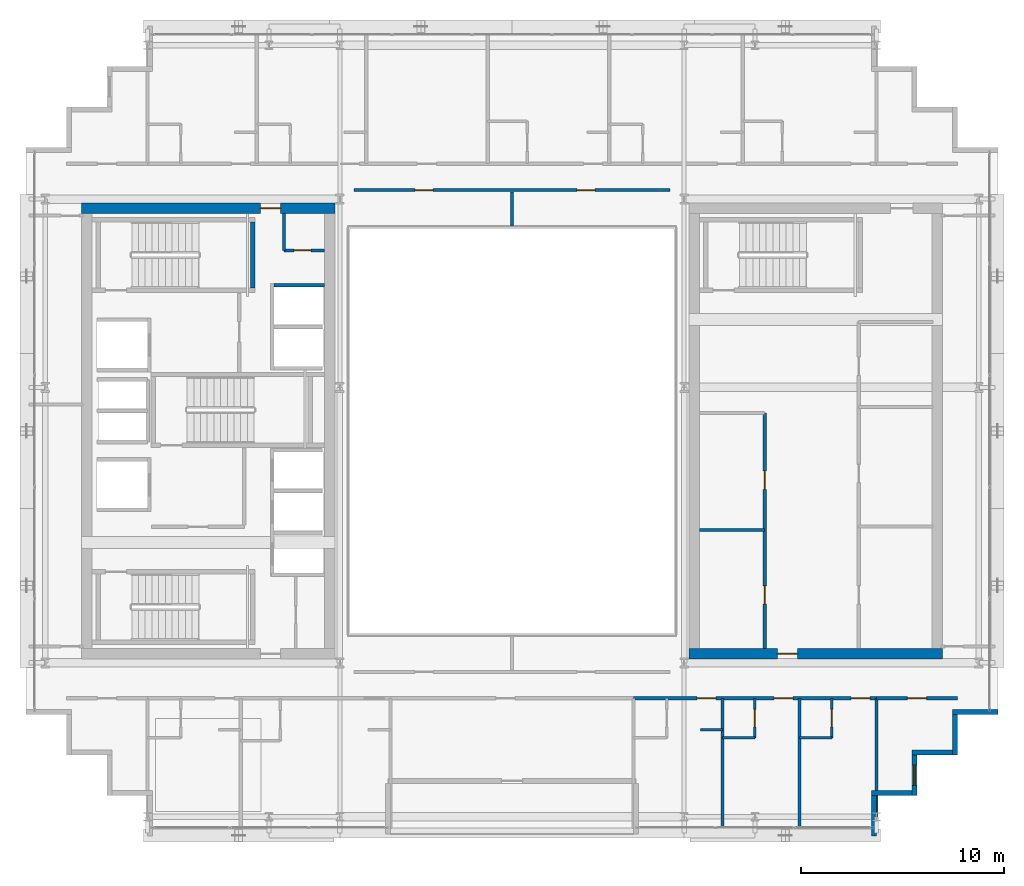
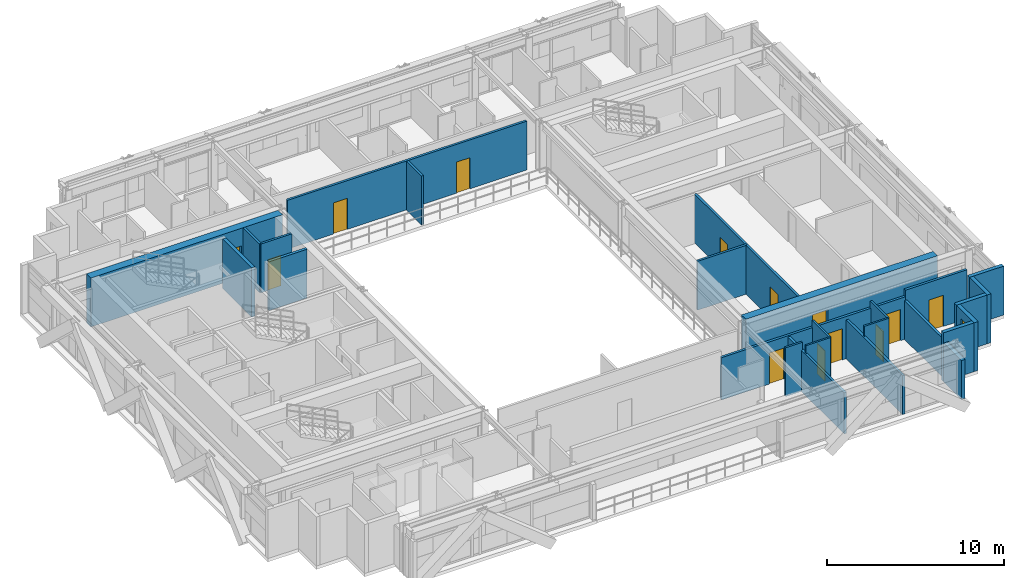
# One storey, part 25 of 31: 26 walls, 13 doors, 1 window, 14 openings.
"""IFC4 building model written with IfcOpenShell, lengths in metres."""

from ifc_helpers import new_model, si_unit, direction, frame, frame_2d, origin, place, context, subcontext, project, spatial, rectangle, extrude, source, transform, mapped, material, layer, layer_set, type_object, element, fill, save


model = new_model("IFC4")

# Units and contexts
model_context = context("Model", 3, precision=1e-05, world=origin(), true_north=direction((0.0, 1.0)))
body_context = subcontext(model_context, "Body", "Model", "MODEL_VIEW")
ifc_project = project(units=[si_unit("LENGTHUNIT", "METRE"), si_unit("AREAUNIT", "SQUARE_METRE"), si_unit("VOLUMEUNIT", "CUBIC_METRE"), si_unit("PLANEANGLEUNIT", "RADIAN"), si_unit("MASSUNIT", "GRAM", prefix="KILO")], contexts=[model_context])

# Site, building, storey
site_placement = place(None, origin())
site = spatial("IfcSite", under=ifc_project, at=site_placement, CompositionType="ELEMENT")
building_placement = place(site_placement, origin())
building = spatial("IfcBuilding", under=site, at=building_placement, Name="Ocotamira Hotel", CompositionType="ELEMENT")
storey_placement = place(building_placement, frame((0.0, 0.0, 210.0)))
storey = spatial("IfcBuildingStorey", under=building, at=storey_placement, Name="L53", CompositionType="ELEMENT", Elevation=210.0)

# Wall, opening, door
ifc_material_1 = material(Name="Concrete C50/60", Category="concrete")
ifc_layer_1 = layer(ifc_material_1, 0.5)
ifc_layer_set_1 = layer_set([ifc_layer_1], Name="Concrete C50/60")
wall_type_1 = type_object("IfcWallType", Name="WL-CORE-500", PredefinedType="SHEAR", material=ifc_layer_set_1)
wall_1_placement = place(storey_placement, frame((10.75, 37.0, 0.0), z_axis=(0.0, 0.0, 1.0), x_axis=(1.0, 0.0, 0.0)))
wall_1 = element("IfcWall", 1, at=wall_1_placement, inside=storey, type_object=wall_type_1, Name="L53 Shear Core Wall WCORE-N", PredefinedType="SHEAR", context=body_context, shape_type="SweptSolid", body=[
    extrude(rectangle(XDim=12.5, YDim=0.5, at=frame_2d((6.25, 0.0))), origin(), (0.0, 0.0, 1.0), 3.3701171875),
])
opening_1_placement = place(wall_1_placement, frame((8.830078125, 0.0, 0.0)))
opening_1 = element("IfcOpeningElement", 2, at=opening_1_placement, cuts=wall_1, Name="Opening D-FR2", PredefinedType="OPENING", context=body_context, shape_type="SweptSolid", body=[
    extrude(rectangle(XDim=1.0, YDim=2.14990234375, at=frame_2d((0.5, 1.074951171875))), frame((0.0, 0.260009765625, 0.0), z_axis=(0.0, -1.0, 0.0), x_axis=(1.0, 0.0, 0.0)), (0.0, 0.0, 1.0), 0.52001953125),
])
ifc_material_2 = material(Name="Fire-rated acoustic timber-veneer door", Category="wood")
door_type_1 = type_object("IfcDoorType", Name="DR-FIRE-1000", OperationType="NOTDEFINED", PredefinedType="DOOR", material=ifc_material_2)
shared_shape_1 = source(origin(), body_context, "Body", "SweptSolid", [
    extrude(rectangle(XDim=1.0, YDim=2.14990234375, at=frame_2d((0.5, 1.074951171875))), frame((0.0, 0.02490234375, 0.0), z_axis=(0.0, -1.0, 0.0), x_axis=(1.0, 0.0, 0.0)), (0.0, 0.0, 1.0), 0.050048828125),
])
door_1_placement = place(opening_1_placement, origin())
door_1 = element("IfcDoor", 3, at=door_1_placement, inside=storey, type_object=door_type_1, Name="L53 Door ID-L53-WLOB-N-D [ID-L53-WLOB-N-D]", OperationType="SINGLE_SWING_RIGHT", OverallHeight=2.14990234375, OverallWidth=1.0, PredefinedType="DOOR", context=body_context, shape_type="MappedRepresentation", body=[
    mapped(shared_shape_1, transform((0.0, 0.0, 0.0), scale=1.0)),
])
fill(opening_1, door_1)

wall_2_placement = place(storey_placement, frame((40.75, 15.0, 0.0), z_axis=(0.0, 0.0, 1.0), x_axis=(1.0, 0.0, 0.0)))
wall_2 = element("IfcWall", 4, at=wall_2_placement, inside=storey, type_object=wall_type_1, Name="L53 Shear Core Wall ECORE-S", PredefinedType="SHEAR", context=body_context, shape_type="SweptSolid", body=[
    extrude(rectangle(XDim=12.5, YDim=0.5, at=frame_2d((6.25, 0.0))), origin(), (0.0, 0.0, 1.0), 3.3701171875),
])
opening_2_placement = place(wall_2_placement, frame((4.35009765625, 0.0, 0.0)))
opening_2 = element("IfcOpeningElement", 5, at=opening_2_placement, cuts=wall_2, Name="Opening D-FR2", PredefinedType="OPENING", context=body_context, shape_type="SweptSolid", body=[
    extrude(rectangle(XDim=1.0, YDim=2.14990234375, at=frame_2d((0.5, 1.074951171875))), frame((0.0, 0.260009765625, 0.0), z_axis=(0.0, -1.0, 0.0), x_axis=(1.0, 0.0, 0.0)), (0.0, 0.0, 1.0), 0.52001953125),
])
door_2_placement = place(opening_2_placement, origin())
door_2 = element("IfcDoor", 6, at=door_2_placement, inside=storey, type_object=door_type_1, Name="L53 Door ID-L53-ELOB-S-D [ID-L53-ELOB-S-D]", OperationType="SINGLE_SWING_RIGHT", OverallHeight=2.14990234375, OverallWidth=1.0, PredefinedType="DOOR", context=body_context, shape_type="MappedRepresentation", body=[
    mapped(shared_shape_1, transform((0.0, 0.0, 0.0), scale=1.0)),
])
fill(opening_2, door_2)

# Walls
ifc_material_3 = material(Name="Precast concrete C45/55", Category="concrete")
ifc_layer_2 = layer(ifc_material_3, 0.25)
ifc_layer_set_2 = layer_set([ifc_layer_2], Name="Precast concrete C45/55")
wall_type_2 = type_object("IfcWallType", Name="WL-EXT-SER-250", PredefinedType="SOLIDWALL", material=ifc_layer_set_2)
wall_3_placement = place(storey_placement, frame((49.875, 6.0, 0.0), z_axis=(0.0, 0.0, 1.0), x_axis=(0.0, 1.0, 0.0)))
element("IfcWall", 7, at=wall_3_placement, inside=storey, type_object=wall_type_2, Name="L53 Serrated Corner Wall 01", PredefinedType="SOLIDWALL", context=body_context, shape_type="SweptSolid", body=[
    extrude(rectangle(XDim=2.0, YDim=0.25, at=frame_2d((1.0, 0.0))), origin(), (0.0, 0.0, 1.0), 2.677001953125),
])
wall_4_placement = place(storey_placement, frame((49.75, 8.125, 0.0), z_axis=(0.0, 0.0, 1.0), x_axis=(1.0, 0.0, 0.0)))
element("IfcWall", 8, at=wall_4_placement, inside=storey, type_object=wall_type_2, Name="L53 Serrated Corner Wall 02", PredefinedType="SOLIDWALL", context=body_context, shape_type="SweptSolid", body=[
    extrude(rectangle(XDim=2.0, YDim=0.25, at=frame_2d((1.0, 0.0))), origin(), (0.0, 0.0, 1.0), 3.3701171875),
])

# Wall, opening, window
wall_5_placement = place(storey_placement, frame((51.875, 8.0, 0.0), z_axis=(0.0, 0.0, 1.0), x_axis=(0.0, 1.0, 0.0)))
wall_5 = element("IfcWall", 9, at=wall_5_placement, inside=storey, type_object=wall_type_2, Name="L53 Serrated Corner Wall 03", PredefinedType="SOLIDWALL", context=body_context, shape_type="SweptSolid", body=[
    extrude(rectangle(XDim=2.0, YDim=0.25, at=frame_2d((1.0, 0.0))), origin(), (0.0, 0.0, 1.0), 3.3701171875),
])
opening_3_placement = place(wall_5_placement, frame((0.5, 0.0, 0.85009765625)))
opening_3 = element("IfcOpeningElement", 10, at=opening_3_placement, cuts=wall_5, Name="Opening WN-2", PredefinedType="OPENING", context=body_context, shape_type="SweptSolid", body=[
    extrude(rectangle(XDim=1.0, YDim=1.89990234375, at=frame_2d((0.5, 0.949951171875))), frame((0.0, 0.135009765625, 0.0), z_axis=(0.0, -1.0, 0.0), x_axis=(1.0, 0.0, 0.0)), (0.0, 0.0, 1.0), 0.27001953125),
])
ifc_material_4 = material(Name="Double-silver low-E solar glass", Category="glass")
window_type = type_object("IfcWindowType", Name="WIN-SER-1100", PartitioningType="SINGLE_PANEL", PredefinedType="WINDOW", material=ifc_material_4)
shared_shape_2 = source(origin(), body_context, "Body", "SweptSolid", [
    extrude(rectangle(XDim=1.0, YDim=1.89990234375, at=frame_2d((0.5, 0.949951171875))), frame((0.0, 0.030029296875, 0.0), z_axis=(0.0, -1.0, 0.0), x_axis=(1.0, 0.0, 0.0)), (0.0, 0.0, 1.0), 0.06005859375),
])
window_placement = place(opening_3_placement, origin())
window = element("IfcWindow", 11, at=window_placement, inside=storey, type_object=window_type, Name="L53 Serrated Corner Window 03", OverallHeight=1.89990234375, OverallWidth=1.0, PartitioningType="SINGLE_PANEL", PredefinedType="WINDOW", context=body_context, shape_type="MappedRepresentation", body=[
    mapped(shared_shape_2, transform((0.0, 0.0, 0.0), scale=1.0)),
])
fill(opening_3, window)

# Walls
for number, where, z_axis, x_axis, name in (
    (12, (51.75, 10.125, 0.0), (0.0, 0.0, 1.0), (1.0, 0.0, 0.0), "L53 Serrated Corner Wall 04"),
    (13, (53.875, 10.0, 0.0), (0.0, 0.0, 1.0), (0.0, 1.0, 0.0), "L53 Serrated Corner Wall 05"),
):
    element("IfcWall", number, at=place(storey_placement, frame(where, z_axis=z_axis, x_axis=x_axis)), inside=storey, type_object=wall_type_2, Name=name, PredefinedType="SOLIDWALL", context=body_context, shape_type="SweptSolid", body=[
        extrude(rectangle(XDim=2.0, YDim=0.25, at=frame_2d((1.0, 0.0))), origin(), (0.0, 0.0, 1.0), 3.3701171875),
    ])
wall_6_placement = place(storey_placement, frame((53.75, 12.125, 0.0), z_axis=(0.0, 0.0, 1.0), x_axis=(1.0, 0.0, 0.0)))
element("IfcWall", 14, at=wall_6_placement, inside=storey, type_object=wall_type_2, Name="L53 Serrated Corner Wall 06", PredefinedType="SOLIDWALL", context=body_context, shape_type="SweptSolid", body=[
    extrude(rectangle(XDim=2.25, YDim=0.25, at=frame_2d((1.125, 0.0))), origin(), (0.0, 0.0, 1.0), 3.3701171875),
])

# Wall, opening, door
ifc_material_5 = material(Name="Acoustic double-layer fire gypsum board partition", Category="gypsum")
ifc_layer_3 = layer(ifc_material_5, 0.159912109375)
ifc_layer_set_3 = layer_set([ifc_layer_3], Name="Acoustic double-layer fire gypsum board partition")
wall_type_3 = type_object("IfcWallType", Name="WL-FIRE-160", PredefinedType="PARTITIONING", material=ifc_layer_set_3)
wall_7_placement = place(storey_placement, frame((50.0, 12.800048828125, 0.0), z_axis=(0.0, 0.0, 1.0), x_axis=(1.0, 0.0, 0.0)))
wall_7 = element("IfcWall", 15, at=wall_7_placement, inside=storey, type_object=wall_type_3, Name="L53 Interior Wall PW-L53-Z3E-CSE-CW", PredefinedType="PARTITIONING", context=body_context, shape_type="SweptSolid", body=[
    extrude(rectangle(XDim=4.0, YDim=0.159912109375, at=frame_2d((2.0, 0.0))), origin(), (0.0, 0.0, 1.0), 3.3701171875),
])
opening_4_placement = place(wall_7_placement, frame((1.52001953125, 0.0, 0.0)))
opening_4 = element("IfcOpeningElement", 16, at=opening_4_placement, cuts=wall_7, Name="Opening D-SV4", PredefinedType="OPENING", context=body_context, shape_type="SweptSolid", body=[
    extrude(rectangle(XDim=0.9599609375, YDim=2.14990234375, at=frame_2d((0.47998046875, 1.074951171875))), frame((0.0, 0.08984375, 0.0), z_axis=(0.0, -1.0, 0.0), x_axis=(1.0, 0.0, 0.0)), (0.0, 0.0, 1.0), 0.179931640625),
])
ifc_material_6 = material(Name="Fire-rated accessible walnut salon door", Category="wood")
door_type_2 = type_object("IfcDoorType", Name="DR-SERV-960", OperationType="NOTDEFINED", PredefinedType="DOOR", material=ifc_material_6)
shared_shape_3 = source(origin(), body_context, "Body", "SweptSolid", [
    extrude(rectangle(XDim=0.9599609375, YDim=2.14990234375, at=frame_2d((0.47998046875, 1.074951171875))), frame((0.0, 0.02490234375, 0.0), z_axis=(0.0, -1.0, 0.0), x_axis=(1.0, 0.0, 0.0)), (0.0, 0.0, 1.0), 0.050048828125),
])
door_3_placement = place(opening_4_placement, origin())
door_3 = element("IfcDoor", 17, at=door_3_placement, inside=storey, type_object=door_type_2, Name="L53 Door ID-L53-Z3E-CSE-CD [ID-L53-Z3E-CSE-CD]", OperationType="SINGLE_SWING_LEFT", OverallHeight=2.14990234375, OverallWidth=0.9599609375, PredefinedType="DOOR", context=body_context, shape_type="MappedRepresentation", body=[
    mapped(shared_shape_3, transform((0.0, 0.0, 0.0), scale=1.0)),
])
fill(opening_4, door_3)

# Wall, openings, doors
wall_8_placement = place(storey_placement, frame((38.0, 12.800048828125, 0.0), z_axis=(0.0, 0.0, 1.0), x_axis=(1.0, 0.0, 0.0)))
wall_8 = element("IfcWall", 18, at=wall_8_placement, inside=storey, type_object=wall_type_3, Name="L53 Interior Wall PW-L53-Z3ESE-CORRW", PredefinedType="PARTITIONING", context=body_context, shape_type="SweptSolid", body=[
    extrude(rectangle(XDim=12.0, YDim=0.159912109375, at=frame_2d((6.0, 0.0))), origin(), (0.0, 0.0, 1.0), 2.9130859375),
])
opening_5_placement = place(wall_8_placement, frame((3.139892578125, 0.0, 0.0)))
opening_5 = element("IfcOpeningElement", 19, at=opening_5_placement, cuts=wall_8, Name="Opening D-GR1", PredefinedType="OPENING", context=body_context, shape_type="SweptSolid", body=[
    extrude(rectangle(XDim=0.93994140625, YDim=2.14990234375, at=frame_2d((0.469970703125, 1.074951171875))), frame((0.0, 0.08984375, 0.0), z_axis=(0.0, -1.0, 0.0), x_axis=(1.0, 0.0, 0.0)), (0.0, 0.0, 1.0), 0.179931640625),
])
opening_6_placement = place(wall_8_placement, frame((6.93994140625, 0.0, 0.0)))
opening_6 = element("IfcOpeningElement", 20, at=opening_6_placement, cuts=wall_8, Name="Opening D-GR1", PredefinedType="OPENING", context=body_context, shape_type="SweptSolid", body=[
    extrude(rectangle(XDim=0.93994140625, YDim=2.14990234375, at=frame_2d((0.469970703125, 1.074951171875))), frame((0.0, 0.08984375, 0.0), z_axis=(0.0, -1.0, 0.0), x_axis=(1.0, 0.0, 0.0)), (0.0, 0.0, 1.0), 0.179931640625),
])
opening_7_placement = place(wall_8_placement, frame((10.739990234375, 0.0, 0.0)))
opening_7 = element("IfcOpeningElement", 21, at=opening_7_placement, cuts=wall_8, Name="Opening D-GR1", PredefinedType="OPENING", context=body_context, shape_type="SweptSolid", body=[
    extrude(rectangle(XDim=0.93994140625, YDim=2.14990234375, at=frame_2d((0.469970703125, 1.074951171875))), frame((0.0, 0.08984375, 0.0), z_axis=(0.0, -1.0, 0.0), x_axis=(1.0, 0.0, 0.0)), (0.0, 0.0, 1.0), 0.179931640625),
])
ifc_material_7 = material(Name="Solid-core walnut suite entrance fire door", Category="wood")
door_type_3 = type_object("IfcDoorType", Name="DR-GUEST-940", OperationType="NOTDEFINED", PredefinedType="DOOR", material=ifc_material_7)
shared_shape_4 = source(origin(), body_context, "Body", "SweptSolid", [
    extrude(rectangle(XDim=0.93994140625, YDim=2.14990234375, at=frame_2d((0.469970703125, 1.074951171875))), frame((0.0, 0.02490234375, 0.0), z_axis=(0.0, -1.0, 0.0), x_axis=(1.0, 0.0, 0.0)), (0.0, 0.0, 1.0), 0.050048828125),
])
door_4_placement = place(opening_5_placement, origin())
door_4 = element("IfcDoor", 22, at=door_4_placement, inside=storey, type_object=door_type_3, Name="L53 Door ID-L53-Z3ESE-RMD1 [ID-L53-Z3ESE-RMD1]", OperationType="SINGLE_SWING_LEFT", OverallHeight=2.14990234375, OverallWidth=0.93994140625, PredefinedType="DOOR", context=body_context, shape_type="MappedRepresentation", body=[
    mapped(shared_shape_4, transform((0.0, 0.0, 0.0), scale=1.0)),
])
fill(opening_5, door_4)
door_5_placement = place(opening_6_placement, origin())
door_5 = element("IfcDoor", 23, at=door_5_placement, inside=storey, type_object=door_type_3, Name="L53 Door ID-L53-Z3ESE-RMD2 [ID-L53-Z3ESE-RMD2]", OperationType="SINGLE_SWING_RIGHT", OverallHeight=2.14990234375, OverallWidth=0.93994140625, PredefinedType="DOOR", context=body_context, shape_type="MappedRepresentation", body=[
    mapped(shared_shape_4, transform((0.0, 0.0, 0.0), scale=1.0)),
])
fill(opening_6, door_5)
door_6_placement = place(opening_7_placement, origin())
door_6 = element("IfcDoor", 24, at=door_6_placement, inside=storey, type_object=door_type_3, Name="L53 Door ID-L53-Z3ESE-RMD3 [ID-L53-Z3ESE-RMD3]", OperationType="SINGLE_SWING_LEFT", OverallHeight=2.14990234375, OverallWidth=0.93994140625, PredefinedType="DOOR", context=body_context, shape_type="MappedRepresentation", body=[
    mapped(shared_shape_4, transform((0.0, 0.0, 0.0), scale=1.0)),
])
fill(opening_7, door_6)

# Wall
ifc_material_8 = material(Name="Moisture-resistant en-suite tile and gypsum partition", Category="gypsum")
ifc_layer_4 = layer(ifc_material_8, 0.1201171875)
ifc_layer_set_4 = layer_set([ifc_layer_4], Name="Moisture-resistant en-suite tile and gypsum partition")
wall_type_4 = type_object("IfcWallType", Name="WL-PART-120", PredefinedType="PARTITIONING", material=ifc_layer_set_4)
wall_9_placement = place(storey_placement, frame((41.300048828125, 11.25, 0.0), z_axis=(0.0, 0.0, 1.0), x_axis=(1.0, 0.0, 0.0)))
element("IfcWall", 25, at=wall_9_placement, inside=storey, type_object=wall_type_4, Name="L53 Interior Wall PW-L53-Z3ESE-DRN1", PredefinedType="PARTITIONING", context=body_context, shape_type="SweptSolid", body=[
    extrude(rectangle(XDim=1.099853515625, YDim=0.1201171875, at=frame_2d((0.5498046875, 0.0))), origin(), (0.0, 0.0, 1.0), 3.3701171875),
])

# Wall, opening, door
wall_10_placement = place(storey_placement, frame((43.989990234375, 10.85009765625, 0.0), z_axis=(0.0, 0.0, 1.0), x_axis=(0.0, 1.0, 0.0)))
wall_10 = element("IfcWall", 26, at=wall_10_placement, inside=storey, type_object=wall_type_4, Name="L53 Interior Wall PW-L53-Z3ESE-BAE2", PredefinedType="PARTITIONING", context=body_context, shape_type="SweptSolid", body=[
    extrude(rectangle(XDim=1.949951171875, YDim=0.1201171875, at=frame_2d((0.97509765625, 0.0))), origin(), (0.0, 0.0, 1.0), 3.3701171875),
])
opening_8_placement = place(wall_10_placement, frame((0.544921875, 0.0, 0.0)))
opening_8 = element("IfcOpeningElement", 27, at=opening_8_placement, cuts=wall_10, Name="Opening D-BA1", PredefinedType="OPENING", context=body_context, shape_type="SweptSolid", body=[
    extrude(rectangle(XDim=0.860107421875, YDim=2.10009765625, at=frame_2d((0.43017578125, 1.050048828125))), frame((0.0, 0.070068359375, 0.0), z_axis=(0.0, -1.0, 0.0), x_axis=(1.0, 0.0, 0.0)), (0.0, 0.0, 1.0), 0.14013671875),
])
ifc_material_9 = material(Name="Moisture-sealed en-suite timber door", Category="wood")
door_type_4 = type_object("IfcDoorType", Name="DR-BATH-860", OperationType="NOTDEFINED", PredefinedType="DOOR", material=ifc_material_9)
shared_shape_5 = source(origin(), body_context, "Body", "SweptSolid", [
    extrude(rectangle(XDim=0.860107421875, YDim=2.10009765625, at=frame_2d((0.43017578125, 1.050048828125))), frame((0.0, 0.02490234375, 0.0), z_axis=(0.0, -1.0, 0.0), x_axis=(1.0, 0.0, 0.0)), (0.0, 0.0, 1.0), 0.050048828125),
])
door_7_placement = place(opening_8_placement, origin())
door_7 = element("IfcDoor", 28, at=door_7_placement, inside=storey, type_object=door_type_4, Name="L53 Door ID-L53-Z3ESE-BAD2 [ID-L53-Z3ESE-BAD2]", OperationType="SINGLE_SWING_LEFT", OverallHeight=2.10009765625, OverallWidth=0.860107421875, PredefinedType="DOOR", context=body_context, shape_type="MappedRepresentation", body=[
    mapped(shared_shape_5, transform((0.0, 0.0, 0.0), scale=1.0)),
])
fill(opening_8, door_7)

# Wall
wall_11_placement = place(storey_placement, frame((42.39990234375, 10.85009765625, 0.0), z_axis=(0.0, 0.0, 1.0), x_axis=(1.0, 0.0, 0.0)))
element("IfcWall", 29, at=wall_11_placement, inside=storey, type_object=wall_type_4, Name="L53 Interior Wall PW-L53-Z3ESE-BAS2", PredefinedType="PARTITIONING", context=body_context, shape_type="SweptSolid", body=[
    extrude(rectangle(XDim=1.590087890625, YDim=0.1201171875, at=frame_2d((0.794921875, 0.0))), origin(), (0.0, 0.0, 1.0), 3.3701171875),
])

# Wall, opening, door
wall_12_placement = place(storey_placement, frame((47.7900390625, 10.85009765625, 0.0), z_axis=(0.0, 0.0, 1.0), x_axis=(0.0, 1.0, 0.0)))
wall_12 = element("IfcWall", 30, at=wall_12_placement, inside=storey, type_object=wall_type_4, Name="L53 Interior Wall PW-L53-Z3ESE-BAE3", PredefinedType="PARTITIONING", context=body_context, shape_type="SweptSolid", body=[
    extrude(rectangle(XDim=1.949951171875, YDim=0.1201171875, at=frame_2d((0.97509765625, 0.0))), origin(), (0.0, 0.0, 1.0), 3.3701171875),
])
opening_9_placement = place(wall_12_placement, frame((0.544921875, 0.0, 0.0)))
opening_9 = element("IfcOpeningElement", 31, at=opening_9_placement, cuts=wall_12, Name="Opening D-BA1", PredefinedType="OPENING", context=body_context, shape_type="SweptSolid", body=[
    extrude(rectangle(XDim=0.860107421875, YDim=2.10009765625, at=frame_2d((0.43017578125, 1.050048828125))), frame((0.0, 0.070068359375, 0.0), z_axis=(0.0, -1.0, 0.0), x_axis=(1.0, 0.0, 0.0)), (0.0, 0.0, 1.0), 0.14013671875),
])
door_8_placement = place(opening_9_placement, origin())
door_8 = element("IfcDoor", 32, at=door_8_placement, inside=storey, type_object=door_type_4, Name="L53 Door ID-L53-Z3ESE-BAD3 [ID-L53-Z3ESE-BAD3]", OperationType="SINGLE_SWING_RIGHT", OverallHeight=2.10009765625, OverallWidth=0.860107421875, PredefinedType="DOOR", context=body_context, shape_type="MappedRepresentation", body=[
    mapped(shared_shape_5, transform((0.0, 0.0, 0.0), scale=1.0)),
])
fill(opening_9, door_8)

# Walls
wall_13_placement = place(storey_placement, frame((46.199951171875, 10.85009765625, 0.0), z_axis=(0.0, 0.0, 1.0), x_axis=(1.0, 0.0, 0.0)))
element("IfcWall", 33, at=wall_13_placement, inside=storey, type_object=wall_type_4, Name="L53 Interior Wall PW-L53-Z3ESE-BAS3", PredefinedType="PARTITIONING", context=body_context, shape_type="SweptSolid", body=[
    extrude(rectangle(XDim=1.590087890625, YDim=0.1201171875, at=frame_2d((0.794921875, 0.0))), origin(), (0.0, 0.0, 1.0), 3.3701171875),
])
ifc_material_10 = material(Name="Acoustic hospitality gypsum board partition", Category="gypsum")
ifc_layer_5 = layer(ifc_material_10, 0.14208984375)
ifc_layer_set_5 = layer_set([ifc_layer_5], Name="Acoustic hospitality gypsum board partition")
wall_type_5 = type_object("IfcWallType", Name="WL-PART-142", PredefinedType="PARTITIONING", material=ifc_layer_set_5)
wall_14_placement = place(storey_placement, frame((20.739990234375, 34.919921875, 0.0), z_axis=(0.0, 0.0, 1.0), x_axis=(0.0, 1.0, 0.0)))
element("IfcWall", 34, at=wall_14_placement, inside=storey, type_object=wall_type_5, Name="L53 Interior Wall PW-L53-WC-NE-W1", PredefinedType="PARTITIONING", context=body_context, shape_type="SweptSolid", body=[
    extrude(rectangle(XDim=1.830078125, YDim=0.14208984375, at=frame_2d((0.9150390625, 0.0))), origin(), (0.0, 0.0, 1.0), 3.3701171875),
])

# Wall, opening, door
wall_15_placement = place(storey_placement, frame((20.739990234375, 34.919921875, 0.0), z_axis=(0.0, 0.0, 1.0), x_axis=(1.0, 0.0, 0.0)))
wall_15 = element("IfcWall", 35, at=wall_15_placement, inside=storey, type_object=wall_type_5, Name="L53 Interior Wall PW-L53-WC-NE-S1", PredefinedType="PARTITIONING", context=body_context, shape_type="SweptSolid", body=[
    extrude(rectangle(XDim=2.010009765625, YDim=0.14208984375, at=frame_2d((1.0048828125, 0.0))), origin(), (0.0, 0.0, 1.0), 3.3701171875),
])
opening_10_placement = place(wall_15_placement, frame((0.5, 0.0, 0.0)))
opening_10 = element("IfcOpeningElement", 36, at=opening_10_placement, cuts=wall_15, Name="Opening D-SV1", PredefinedType="OPENING", context=body_context, shape_type="SweptSolid", body=[
    extrude(rectangle(XDim=0.840087890625, YDim=2.10009765625, at=frame_2d((0.419921875, 1.050048828125))), frame((0.0, 0.0810546875, 0.0), z_axis=(0.0, -1.0, 0.0), x_axis=(1.0, 0.0, 0.0)), (0.0, 0.0, 1.0), 0.162109375),
])
ifc_material_11 = material(Name="Fire-rated painted steel service door", Category="steel")
door_type_5 = type_object("IfcDoorType", Name="DR-SERV-840", OperationType="NOTDEFINED", PredefinedType="DOOR", material=ifc_material_11)
shared_shape_6 = source(origin(), body_context, "Body", "SweptSolid", [
    extrude(rectangle(XDim=0.840087890625, YDim=2.10009765625, at=frame_2d((0.419921875, 1.050048828125))), frame((0.0, 0.02490234375, 0.0), z_axis=(0.0, -1.0, 0.0), x_axis=(1.0, 0.0, 0.0)), (0.0, 0.0, 1.0), 0.050048828125),
])
door_9_placement = place(opening_10_placement, origin())
door_9 = element("IfcDoor", 37, at=door_9_placement, inside=storey, type_object=door_type_5, Name="L53 Door ID-L53-WC-NE-D1 [ID-L53-WC-NE-D1]", OperationType="SINGLE_SWING_LEFT", OverallHeight=2.10009765625, OverallWidth=0.840087890625, PredefinedType="DOOR", context=body_context, shape_type="MappedRepresentation", body=[
    mapped(shared_shape_6, transform((0.0, 0.0, 0.0), scale=1.0)),
])
fill(opening_10, door_9)

# Walls
wall_16_placement = place(storey_placement, frame((32.0, 36.1201171875, 0.0), z_axis=(0.0, 0.0, 1.0), x_axis=(0.0, 1.0, 0.0)))
element("IfcWall", 38, at=wall_16_placement, inside=storey, type_object=wall_type_5, Name="L53 Interior Wall PW-L53-Z3E-AND1", PredefinedType="PARTITIONING", context=body_context, shape_type="SweptSolid", body=[
    extrude(rectangle(XDim=1.679931640625, YDim=0.14208984375, at=frame_2d((0.83984375, 0.0))), origin(), (0.0, 0.0, 1.0), 3.3701171875),
])
ifc_layer_6 = layer(ifc_material_10, 0.14990234375)
ifc_layer_set_6 = layer_set([ifc_layer_6], Name="Acoustic hospitality gypsum board partition")
wall_type_6 = type_object("IfcWallType", Name="WL-PART-150", PredefinedType="PARTITIONING", material=ifc_layer_set_6)
wall_17_placement = place(storey_placement, frame((41.25, 21.1201171875, 0.0), z_axis=(0.0, 0.0, 1.0), x_axis=(1.0, 0.0, 0.0)))
element("IfcWall", 39, at=wall_17_placement, inside=storey, type_object=wall_type_6, Name="L53 Interior Wall PW-L53-EC-FMID-DIV", PredefinedType="PARTITIONING", context=body_context, shape_type="SweptSolid", body=[
    extrude(rectangle(XDim=3.22998046875, YDim=0.14990234375, at=frame_2d((1.614990234375, 0.0))), origin(), (0.0, 0.0, 1.0), 3.3701171875),
])

# Wall, openings, doors
wall_18_placement = place(storey_placement, frame((44.47998046875, 15.25, 0.0), z_axis=(0.0, 0.0, 1.0), x_axis=(0.0, 1.0, 0.0)))
wall_18 = element("IfcWall", 40, at=wall_18_placement, inside=storey, type_object=wall_type_6, Name="L53 Interior Wall PW-L53-EC-FMID-E", PredefinedType="PARTITIONING", context=body_context, shape_type="SweptSolid", body=[
    extrude(rectangle(XDim=11.6298828125, YDim=0.14990234375, at=frame_2d((5.81494140625, 0.0))), origin(), (0.0, 0.0, 1.0), 3.3701171875),
])
opening_11_placement = place(wall_18_placement, frame((2.199951171875, 0.0, 0.0)))
opening_11 = element("IfcOpeningElement", 41, at=opening_11_placement, cuts=wall_18, Name="Opening D-IN3", PredefinedType="OPENING", context=body_context, shape_type="SweptSolid", body=[
    extrude(rectangle(XDim=0.89990234375, YDim=2.14990234375, at=frame_2d((0.449951171875, 1.074951171875))), frame((0.0, 0.0849609375, 0.0), z_axis=(0.0, -1.0, 0.0), x_axis=(1.0, 0.0, 0.0)), (0.0, 0.0, 1.0), 0.169921875),
])
opening_12_placement = place(wall_18_placement, frame((7.8701171875, 0.0, 0.0)))
opening_12 = element("IfcOpeningElement", 42, at=opening_12_placement, cuts=wall_18, Name="Opening D-IN3", PredefinedType="OPENING", context=body_context, shape_type="SweptSolid", body=[
    extrude(rectangle(XDim=0.89990234375, YDim=2.14990234375, at=frame_2d((0.449951171875, 1.074951171875))), frame((0.0, 0.0849609375, 0.0), z_axis=(0.0, -1.0, 0.0), x_axis=(1.0, 0.0, 0.0)), (0.0, 0.0, 1.0), 0.169921875),
])
ifc_material_12 = material(Name="Painted service room door", Category="steel")
door_type_6 = type_object("IfcDoorType", Name="DR-INT-900", OperationType="NOTDEFINED", PredefinedType="DOOR", material=ifc_material_12)
shared_shape_7 = source(origin(), body_context, "Body", "SweptSolid", [
    extrude(rectangle(XDim=0.89990234375, YDim=2.14990234375, at=frame_2d((0.449951171875, 1.074951171875))), frame((0.0, 0.02490234375, 0.0), z_axis=(0.0, -1.0, 0.0), x_axis=(1.0, 0.0, 0.0)), (0.0, 0.0, 1.0), 0.050048828125),
])
door_10_placement = place(opening_11_placement, origin())
door_10 = element("IfcDoor", 43, at=door_10_placement, inside=storey, type_object=door_type_6, Name="L53 Door ID-L53-EC-FMID-D1 [ID-L53-EC-FMID-D1]", OperationType="SINGLE_SWING_RIGHT", OverallHeight=2.14990234375, OverallWidth=0.89990234375, PredefinedType="DOOR", context=body_context, shape_type="MappedRepresentation", body=[
    mapped(shared_shape_7, transform((0.0, 0.0, 0.0), scale=1.0)),
])
fill(opening_11, door_10)
door_11_placement = place(opening_12_placement, origin())
door_11 = element("IfcDoor", 44, at=door_11_placement, inside=storey, type_object=door_type_6, Name="L53 Door ID-L53-EC-FMID-D2 [ID-L53-EC-FMID-D2]", OperationType="SINGLE_SWING_LEFT", OverallHeight=2.14990234375, OverallWidth=0.89990234375, PredefinedType="DOOR", context=body_context, shape_type="MappedRepresentation", body=[
    mapped(shared_shape_7, transform((0.0, 0.0, 0.0), scale=1.0)),
])
fill(opening_12, door_11)

wall_19_placement = place(storey_placement, frame((24.199951171875, 37.89990234375, 0.0), z_axis=(0.0, 0.0, 1.0), x_axis=(1.0, 0.0, 0.0)))
wall_19 = element("IfcWall", 45, at=wall_19_placement, inside=storey, type_object=wall_type_6, Name="L53 Interior Wall PW-L53-Z3E-ATRNW", PredefinedType="PARTITIONING", context=body_context, shape_type="SweptSolid", body=[
    extrude(rectangle(XDim=15.60009765625, YDim=0.14990234375, at=frame_2d((7.800048828125, 0.0))), origin(), (0.0, 0.0, 1.0), 3.3701171875),
])
opening_13_placement = place(wall_19_placement, frame((3.0, 0.0, 0.0)))
opening_13 = element("IfcOpeningElement", 46, at=opening_13_placement, cuts=wall_19, Name="Opening D-IN3", PredefinedType="OPENING", context=body_context, shape_type="SweptSolid", body=[
    extrude(rectangle(XDim=0.89990234375, YDim=2.14990234375, at=frame_2d((0.449951171875, 1.074951171875))), frame((0.0, 0.0849609375, 0.0), z_axis=(0.0, -1.0, 0.0), x_axis=(1.0, 0.0, 0.0)), (0.0, 0.0, 1.0), 0.169921875),
])
opening_14_placement = place(wall_19_placement, frame((11.0, 0.0, 0.0)))
opening_14 = element("IfcOpeningElement", 47, at=opening_14_placement, cuts=wall_19, Name="Opening D-IN3", PredefinedType="OPENING", context=body_context, shape_type="SweptSolid", body=[
    extrude(rectangle(XDim=0.89990234375, YDim=2.14990234375, at=frame_2d((0.449951171875, 1.074951171875))), frame((0.0, 0.0849609375, 0.0), z_axis=(0.0, -1.0, 0.0), x_axis=(1.0, 0.0, 0.0)), (0.0, 0.0, 1.0), 0.169921875),
])
door_12_placement = place(opening_13_placement, origin())
door_12 = element("IfcDoor", 48, at=door_12_placement, inside=storey, type_object=door_type_6, Name="L53 Door ID-L53-Z3E-AND1D [ID-L53-Z3E-AND1D]", OperationType="SINGLE_SWING_RIGHT", OverallHeight=2.14990234375, OverallWidth=0.89990234375, PredefinedType="DOOR", context=body_context, shape_type="MappedRepresentation", body=[
    mapped(shared_shape_7, transform((0.0, 0.0, 0.0), scale=1.0)),
])
fill(opening_13, door_12)
door_13_placement = place(opening_14_placement, origin())
door_13 = element("IfcDoor", 49, at=door_13_placement, inside=storey, type_object=door_type_6, Name="L53 Door ID-L53-Z3E-AND2D [ID-L53-Z3E-AND2D]", OperationType="SINGLE_SWING_LEFT", OverallHeight=2.14990234375, OverallWidth=0.89990234375, PredefinedType="DOOR", context=body_context, shape_type="MappedRepresentation", body=[
    mapped(shared_shape_7, transform((0.0, 0.0, 0.0), scale=1.0)),
])
fill(opening_14, door_13)

# Walls
ifc_material_13 = material(Name="Acoustic double-stud hospitality gypsum partition", Category="gypsum")
ifc_layer_7 = layer(ifc_material_13, 0.159912109375)
ifc_layer_set_7 = layer_set([ifc_layer_7], Name="Acoustic double-stud hospitality gypsum partition")
wall_type_7 = type_object("IfcWallType", Name="WL-PART-160", PredefinedType="PARTITIONING", material=ifc_layer_set_7)
wall_20_placement = place(storey_placement, frame((50.0, 6.360107421875, 0.0), z_axis=(0.0, 0.0, 1.0), x_axis=(0.0, 1.0, 0.0)))
element("IfcWall", 50, at=wall_20_placement, inside=storey, type_object=wall_type_7, Name="L53 Interior Wall PW-L53-Z3ESE-PWEND", PredefinedType="PARTITIONING", context=body_context, shape_type="SweptSolid", body=[
    extrude(rectangle(XDim=6.43994140625, YDim=0.159912109375, at=frame_2d((3.219970703125, 0.0))), origin(), (0.0, 0.0, 1.0), 2.677001953125),
])
wall_21_placement = place(storey_placement, frame((42.39990234375, 6.360107421875, 0.0), z_axis=(0.0, 0.0, 1.0), x_axis=(0.0, 1.0, 0.0)))
element("IfcWall", 51, at=wall_21_placement, inside=storey, type_object=wall_type_7, Name="L53 Interior Wall PW-L53-Z3ESE-PW1", PredefinedType="PARTITIONING", context=body_context, shape_type="SweptSolid", body=[
    extrude(rectangle(XDim=6.43994140625, YDim=0.159912109375, at=frame_2d((3.219970703125, 0.0))), origin(), (0.0, 0.0, 1.0), 2.8330078125),
])
wall_22_placement = place(storey_placement, frame((46.199951171875, 6.360107421875, 0.0), z_axis=(0.0, 0.0, 1.0), x_axis=(0.0, 1.0, 0.0)))
element("IfcWall", 52, at=wall_22_placement, inside=storey, type_object=wall_type_7, Name="L53 Interior Wall PW-L53-Z3ESE-PW2", PredefinedType="PARTITIONING", context=body_context, shape_type="SweptSolid", body=[
    extrude(rectangle(XDim=6.43994140625, YDim=0.159912109375, at=frame_2d((3.219970703125, 0.0))), origin(), (0.0, 0.0, 1.0), 2.677001953125),
])
ifc_material_14 = material(Name="Fire-rated gypsum shaftliner board assembly", Category="gypsum")
ifc_layer_8 = layer(ifc_material_14, 0.179931640625)
ifc_layer_set_8 = layer_set([ifc_layer_8], Name="Fire-rated gypsum shaftliner board assembly")
wall_type_8 = type_object("IfcWallType", Name="WL-SHAFT-180", PredefinedType="SOLIDWALL", material=ifc_layer_set_8)
wall_23_placement = place(storey_placement, frame((20.25, 33.199951171875, 0.0), z_axis=(0.0, 0.0, 1.0), x_axis=(1.0, 0.0, 0.0)))
element("IfcWall", 53, at=wall_23_placement, inside=storey, type_object=wall_type_8, Name="L53 Interior Wall PW-L53-LFW-BANK-obs-N", PredefinedType="SOLIDWALL", context=body_context, shape_type="SweptSolid", body=[
    extrude(rectangle(XDim=2.5, YDim=0.179931640625, at=frame_2d((1.25, 0.0))), origin(), (0.0, 0.0, 1.0), 3.3701171875),
])
ifc_layer_9 = layer(ifc_material_1, 0.219970703125)
ifc_layer_set_9 = layer_set([ifc_layer_9], Name="Concrete C50/60")
wall_type_9 = type_object("IfcWallType", Name="WL-STAIR-220", PredefinedType="SHEAR", material=ifc_layer_set_9)
wall_24_placement = place(storey_placement, frame((19.199951171875, 33.050048828125, 0.0), z_axis=(0.0, 0.0, 1.0), x_axis=(0.0, 1.0, 0.0)))
element("IfcWall", 54, at=wall_24_placement, inside=storey, type_object=wall_type_9, Name="L53 Stair Shaft Structural Wall ST-2-E", PredefinedType="SHEAR", context=body_context, shape_type="SweptSolid", body=[
    extrude(rectangle(XDim=3.280029296875, YDim=0.219970703125, at=frame_2d((1.64013671875, 0.0))), origin(), (0.0, 0.0, 1.0), 3.39990234375),
])

save(model, "model.ifc")
